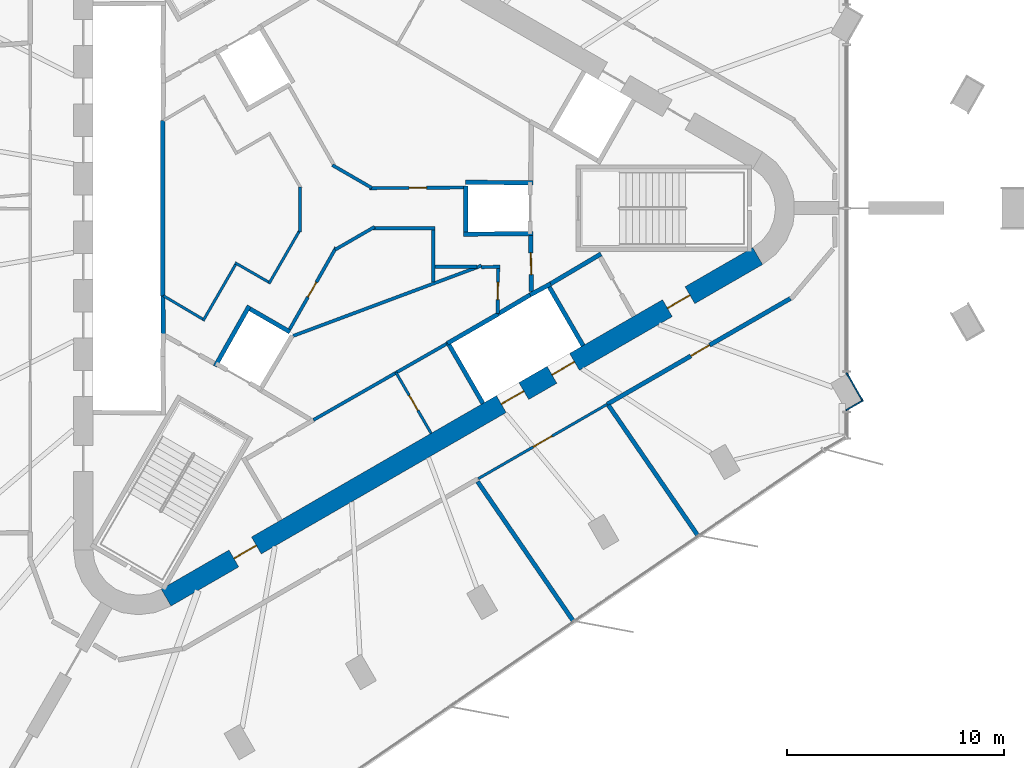
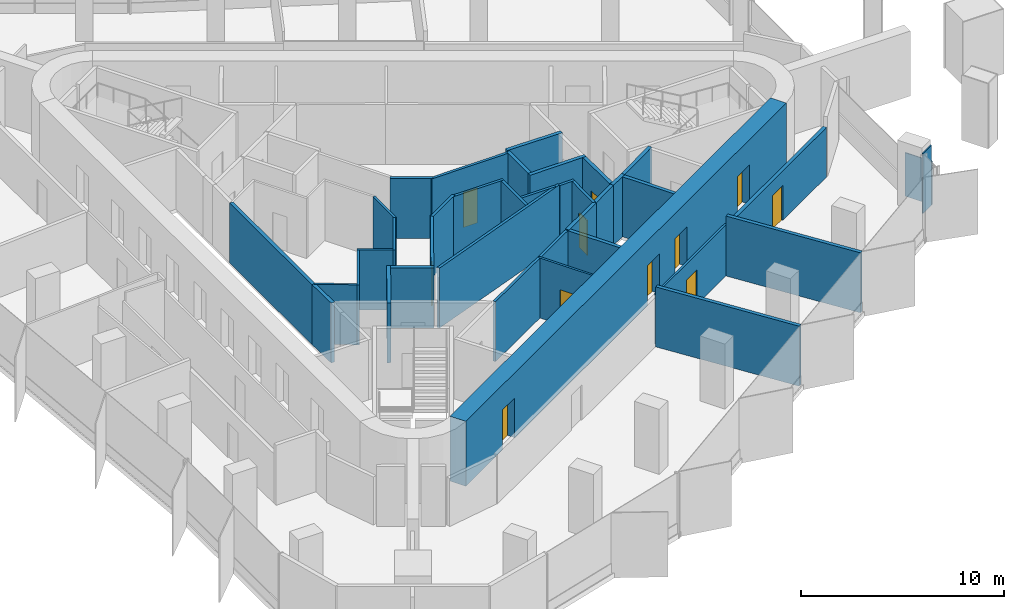
# One storey, part 8 of 12: 38 walls, 11 doors, 11 openings.
"""IFC4 building model written with IfcOpenShell, lengths in metres."""

from ifc_helpers import new_model, si_unit, direction, frame, frame_2d, origin, place, context, subcontext, project, spatial, rectangle, extrude, material, layer, layer_set, type_object, element, fill, save


model = new_model("IFC4")

# Units and contexts
model_context = context("Model", 3, precision=1e-05, world=origin(), true_north=direction((0.0, 1.0)))
body_context = subcontext(model_context, "Body", "Model", "MODEL_VIEW")
ifc_project = project(units=[si_unit("LENGTHUNIT", "METRE"), si_unit("AREAUNIT", "SQUARE_METRE"), si_unit("VOLUMEUNIT", "CUBIC_METRE"), si_unit("PLANEANGLEUNIT", "RADIAN"), si_unit("MASSUNIT", "GRAM", prefix="KILO")], contexts=[model_context])

# Site, building, storey
site_placement = place(None, origin())
site = spatial("IfcSite", under=ifc_project, at=site_placement, CompositionType="ELEMENT")
building_placement = place(site_placement, origin())
building = spatial("IfcBuilding", under=site, at=building_placement, Name="Tanit Gate Tower", CompositionType="ELEMENT")
storey_placement = place(building_placement, frame((0.0, 0.0, 376.699951171875)))
storey = spatial("IfcBuildingStorey", under=building, at=storey_placement, Name="L86", CompositionType="ELEMENT", Elevation=376.699951171875)

# Wall, openings, doors
ifc_material_1 = material(Name="Concrete C40/50", Category="concrete")
ifc_layer_1 = layer(ifc_material_1, 0.89990234375)
ifc_layer_set_1 = layer_set([ifc_layer_1], Name="CORE WALL 900 C40/50")
wall_type_1 = type_object("IfcWallType", Name="CORE WALL 900 C40/50", PredefinedType="SHEAR", material=ifc_layer_set_1)
wall_1_placement = place(storey_placement, frame((-7.824951171875, -17.969970703125, 0.0), z_axis=(0.0, 0.0, 1.0), x_axis=(0.866028369851, 0.499994862586, 0.0)))
wall_1 = element("IfcWall", 1, at=wall_1_placement, inside=storey, type_object=wall_type_1, Name="CORE WALL", PredefinedType="SHEAR", context=body_context, shape_type="SweptSolid", body=[
    extrude(rectangle(XDim=31.523193359375, YDim=0.89990234375, at=frame_2d((15.76171875, 0.0))), origin(), (0.0, 0.0, 1.0), 3.900146484375),
])
opening_1_placement = place(wall_1_placement, frame((17.861572265625, 0.0, 0.0)))
opening_1 = element("IfcOpeningElement", 2, at=opening_1_placement, cuts=wall_1, Name="Opening LDSV1-86", PredefinedType="OPENING", context=body_context, shape_type="SweptSolid", body=[
    extrude(rectangle(XDim=1.199951171875, YDim=2.39990234375, at=frame_2d((0.60009765625, 1.199951171875))), frame((0.0, 0.4599609375, 0.0), z_axis=(0.0, -1.0, 0.0), x_axis=(1.0, 0.0, 0.0)), (0.0, 0.0, 1.0), 0.919921875),
])
opening_2_placement = place(wall_1_placement, frame((20.561767578125, 0.0, 0.0)))
opening_2 = element("IfcOpeningElement", 3, at=opening_2_placement, cuts=wall_1, Name="Opening LDSV2-86", PredefinedType="OPENING", context=body_context, shape_type="SweptSolid", body=[
    extrude(rectangle(XDim=1.199951171875, YDim=2.39990234375, at=frame_2d((0.60009765625, 1.199951171875))), frame((0.0, 0.4599609375, 0.0), z_axis=(0.0, -1.0, 0.0), x_axis=(1.0, 0.0, 0.0)), (0.0, 0.0, 1.0), 0.919921875),
])
opening_3_placement = place(wall_1_placement, frame((26.711669921875, 0.0, 0.0)))
opening_3 = element("IfcOpeningElement", 4, at=opening_3_placement, cuts=wall_1, Name="Opening F12-86-S1", PredefinedType="OPENING", context=body_context, shape_type="SweptSolid", body=[
    extrude(rectangle(XDim=1.199951171875, YDim=2.39990234375, at=frame_2d((0.60009765625, 1.199951171875))), frame((0.0, 0.4599609375, 0.0), z_axis=(0.0, -1.0, 0.0), x_axis=(1.0, 0.0, 0.0)), (0.0, 0.0, 1.0), 0.919921875),
])
opening_4_placement = place(wall_1_placement, frame((3.611572265625, 0.0, 0.0)))
opening_4 = element("IfcOpeningElement", 5, at=opening_4_placement, cuts=wall_1, Name="Opening F12-86-FL3", PredefinedType="OPENING", context=body_context, shape_type="SweptSolid", body=[
    extrude(rectangle(XDim=1.199951171875, YDim=2.39990234375, at=frame_2d((0.60009765625, 1.199951171875))), frame((0.0, 0.4599609375, 0.0), z_axis=(0.0, -1.0, 0.0), x_axis=(1.0, 0.0, 0.0)), (0.0, 0.0, 1.0), 0.919921875),
])
ifc_material_2 = material(Name="Fire-rated steel door leaf", Category="steel")
door_type_1 = type_object("IfcDoorType", Name="INT-DOOR-FIRE-LOBBY-1200", OperationType="NOTDEFINED", PredefinedType="USERDEFINED", material=ifc_material_2)
door_1_placement = place(opening_3_placement, origin())
door_1 = element("IfcDoor", 6, at=door_1_placement, inside=storey, type_object=door_type_1, Name="Door F12-86-S1", ObjectType="FIRE DOOR", OperationType="SINGLE_SWING_RIGHT", OverallHeight=2.39990234375, OverallWidth=1.199951171875, PredefinedType="USERDEFINED", context=body_context, shape_type="SweptSolid", body=[
    extrude(rectangle(XDim=1.199951171875, YDim=2.39990234375, at=frame_2d((0.60009765625, 1.199951171875))), frame((0.0, 0.02490234375, 0.0), z_axis=(0.0, -1.0, 0.0), x_axis=(1.0, 0.0, 0.0)), (0.0, 0.0, 1.0), 0.050048828125),
])
fill(opening_3, door_1)
door_2_placement = place(opening_4_placement, origin())
door_2 = element("IfcDoor", 7, at=door_2_placement, inside=storey, type_object=door_type_1, Name="Door F12-86-FL3", ObjectType="FIRE DOOR", OperationType="SINGLE_SWING_RIGHT", OverallHeight=2.39990234375, OverallWidth=1.199951171875, PredefinedType="USERDEFINED", context=body_context, shape_type="SweptSolid", body=[
    extrude(rectangle(XDim=1.199951171875, YDim=2.39990234375, at=frame_2d((0.60009765625, 1.199951171875))), frame((0.0, 0.02490234375, 0.0), z_axis=(0.0, -1.0, 0.0), x_axis=(1.0, 0.0, 0.0)), (0.0, 0.0, 1.0), 0.050048828125),
])
fill(opening_4, door_2)
ifc_material_3 = material(Name="Stainless steel sliding door leaf", Category="steel")
door_type_2 = type_object("IfcDoorType", Name="INT-DOOR-LANDING-1200", OperationType="NOTDEFINED", PredefinedType="USERDEFINED", material=ifc_material_3)
door_3_placement = place(opening_1_placement, origin())
door_3 = element("IfcDoor", 8, at=door_3_placement, inside=storey, type_object=door_type_2, Name="Door LDSV1-86", ObjectType="LANDING DOOR", OperationType="SLIDING_TO_LEFT", OverallHeight=2.39990234375, OverallWidth=1.199951171875, PredefinedType="USERDEFINED", context=body_context, shape_type="SweptSolid", body=[
    extrude(rectangle(XDim=1.199951171875, YDim=2.39990234375, at=frame_2d((0.60009765625, 1.199951171875))), frame((0.0, 0.02490234375, 0.0), z_axis=(0.0, -1.0, 0.0), x_axis=(1.0, 0.0, 0.0)), (0.0, 0.0, 1.0), 0.050048828125),
])
fill(opening_1, door_3)
door_4_placement = place(opening_2_placement, origin())
door_4 = element("IfcDoor", 9, at=door_4_placement, inside=storey, type_object=door_type_2, Name="Door LDSV2-86", ObjectType="LANDING DOOR", OperationType="SLIDING_TO_LEFT", OverallHeight=2.39990234375, OverallWidth=1.199951171875, PredefinedType="USERDEFINED", context=body_context, shape_type="SweptSolid", body=[
    extrude(rectangle(XDim=1.199951171875, YDim=2.39990234375, at=frame_2d((0.60009765625, 1.199951171875))), frame((0.0, 0.02490234375, 0.0), z_axis=(0.0, -1.0, 0.0), x_axis=(1.0, 0.0, 0.0)), (0.0, 0.0, 1.0), 0.050048828125),
])
fill(opening_2, door_4)

# Walls
ifc_material_4 = material(Name="Bronze anodised aluminium cladding", Category="aluminium")
ifc_layer_2 = layer(ifc_material_4, 0.06005859375)
ifc_layer_set_2 = layer_set([ifc_layer_2], Name="Column casing bronze 60")
wall_type_2 = type_object("IfcWallType", Name="Column casing bronze 60", PredefinedType="SOLIDWALL", material=ifc_layer_set_2)
wall_2_placement = place(storey_placement, frame((23.568603515625, -7.5927734375, 0.0), z_axis=(0.0, 0.0, 1.0), x_axis=(0.499991248344, -0.866030456496, 0.0)))
element("IfcWall", 10, at=wall_2_placement, inside=storey, type_object=wall_type_2, Name="Column casing L86 P-SE7.L1", PredefinedType="SOLIDWALL", context=body_context, shape_type="SweptSolid", body=[
    extrude(rectangle(XDim=1.52001953125, YDim=0.06005859375, at=frame_2d((0.760009765625, 0.0))), origin(), (0.0, 0.0, 1.0), 2.610107421875),
])
wall_3_placement = place(storey_placement, frame((23.551513671875, -9.3232421875, 0.0), z_axis=(0.0, 0.0, 1.0), x_axis=(0.866061263272, 0.499937884402, 0.0)))
element("IfcWall", 11, at=wall_3_placement, inside=storey, type_object=wall_type_2, Name="Column casing L86 P-SE7.S1", PredefinedType="SOLIDWALL", context=body_context, shape_type="SweptSolid", body=[
    extrude(rectangle(XDim=0.85009765625, YDim=0.06005859375, at=frame_2d((0.425048828125, 0.0))), origin(), (0.0, 0.0, 1.0), 3.60009765625),
])
ifc_material_5 = material(Name="Fire-rated gypsum board partition")
ifc_layer_3 = layer(ifc_material_5, 0.199951171875)
ifc_layer_set_3 = layer_set([ifc_layer_3], Name="INT-WALL-COMPARTMENT")
wall_type_3 = type_object("IfcWallType", Name="INT-WALL-COMPARTMENT", PredefinedType="PARTITIONING", material=ifc_layer_set_3)
wall_4_placement = place(storey_placement, frame((12.244873046875, -2.10888671875, 0.0), z_axis=(0.0, 0.0, 1.0), x_axis=(-0.860414880418, -0.509594185166, 0.0)))
element("IfcWall", 12, at=wall_4_placement, inside=storey, type_object=wall_type_3, Name="Wall Compartment W060", PredefinedType="PARTITIONING", context=body_context, shape_type="SweptSolid", body=[
    extrude(rectangle(XDim=2.7001953125, YDim=0.199951171875, at=frame_2d((1.35009765625, 0.0))), origin(), (0.0, 0.0, 1.0), 3.60009765625),
])

# Wall, opening, door
wall_5_placement = place(storey_placement, frame((9.02880859375, -3.850830078125, 0.0), z_axis=(0.0, 0.0, 1.0), x_axis=(-0.010783593937, 0.99994185536, 0.0)))
wall_5 = element("IfcWall", 13, at=wall_5_placement, inside=storey, type_object=wall_type_3, Name="Wall Compartment W063", PredefinedType="PARTITIONING", context=body_context, shape_type="SweptSolid", body=[
    extrude(rectangle(XDim=2.5810546875, YDim=0.199951171875, at=frame_2d((1.29052734375, 0.0))), origin(), (0.0, 0.0, 1.0), 3.60009765625),
])
opening_5_placement = place(wall_5_placement, frame((0.79052734375, 0.0, 0.0)))
opening_5 = element("IfcOpeningElement", 14, at=opening_5_placement, cuts=wall_5, Name="Opening F10-86-02", PredefinedType="OPENING", context=body_context, shape_type="SweptSolid", body=[
    extrude(rectangle(XDim=1.0, YDim=2.10009765625, at=frame_2d((0.5, 1.050048828125))), frame((0.0, 0.10986328125, 0.0), z_axis=(0.0, -1.0, 0.0), x_axis=(1.0, 0.0, 0.0)), (0.0, 0.0, 1.0), 0.219970703125),
])
ifc_material_6 = material(Name="Fire-rated steel door leaf", Category="steel")
door_type_3 = type_object("IfcDoorType", Name="INT-DOOR-FIRE-1000", OperationType="NOTDEFINED", PredefinedType="USERDEFINED", material=ifc_material_6)
door_5_placement = place(opening_5_placement, origin())
door_5 = element("IfcDoor", 15, at=door_5_placement, inside=storey, type_object=door_type_3, Name="Door F10-86-02", ObjectType="FIRE DOOR", OperationType="SINGLE_SWING_RIGHT", OverallHeight=2.10009765625, OverallWidth=1.0, PredefinedType="USERDEFINED", context=body_context, shape_type="SweptSolid", body=[
    extrude(rectangle(XDim=1.0, YDim=2.10009765625, at=frame_2d((0.5, 1.050048828125))), frame((0.0, 0.02490234375, 0.0), z_axis=(0.0, -1.0, 0.0), x_axis=(1.0, 0.0, 0.0)), (0.0, 0.0, 1.0), 0.050048828125),
])
fill(opening_5, door_5)

wall_6_placement = place(storey_placement, frame((12.529052734375, -9.047607421875, 0.0), z_axis=(0.0, 0.0, 1.0), x_axis=(0.866024077076, 0.50000229792, 0.0)))
wall_6 = element("IfcWall", 16, at=wall_6_placement, inside=storey, type_object=wall_type_3, Name="Wall Compartment W126", PredefinedType="PARTITIONING", context=body_context, shape_type="SweptSolid", body=[
    extrude(rectangle(XDim=9.76708984375, YDim=0.199951171875, at=frame_2d((4.883544921875, 0.0))), origin(), (0.0, 0.0, 1.0), 2.969970703125),
])
opening_6_placement = place(wall_6_placement, frame((4.456298828125, 0.0, 0.0)))
opening_6 = element("IfcOpeningElement", 17, at=opening_6_placement, cuts=wall_6, Name="Opening F10-86-29", PredefinedType="OPENING", context=body_context, shape_type="SweptSolid", body=[
    extrude(rectangle(XDim=1.0, YDim=2.10009765625, at=frame_2d((0.5, 1.050048828125))), frame((0.0, 0.10986328125, 0.0), z_axis=(0.0, -1.0, 0.0), x_axis=(1.0, 0.0, 0.0)), (0.0, 0.0, 1.0), 0.219970703125),
])
door_6_placement = place(opening_6_placement, origin())
door_6 = element("IfcDoor", 18, at=door_6_placement, inside=storey, type_object=door_type_3, Name="Door F10-86-29", ObjectType="FIRE DOOR", OperationType="SINGLE_SWING_RIGHT", OverallHeight=2.10009765625, OverallWidth=1.0, PredefinedType="USERDEFINED", context=body_context, shape_type="SweptSolid", body=[
    extrude(rectangle(XDim=1.0, YDim=2.10009765625, at=frame_2d((0.5, 1.050048828125))), frame((0.0, 0.02490234375, 0.0), z_axis=(0.0, -1.0, 0.0), x_axis=(1.0, 0.0, 0.0)), (0.0, 0.0, 1.0), 0.050048828125),
])
fill(opening_6, door_6)

# Walls
wall_7_placement = place(storey_placement, frame((10.976806640625, -19.06787109375, 0.0), z_axis=(0.0, 0.0, 1.0), x_axis=(-0.565752665507, 0.82457499445, 0.0)))
element("IfcWall", 19, at=wall_7_placement, inside=storey, type_object=wall_type_3, Name="Wall Compartment W127", PredefinedType="PARTITIONING", context=body_context, shape_type="SweptSolid", body=[
    extrude(rectangle(XDim=7.825439453125, YDim=0.199951171875, at=frame_2d((3.91259765625, 0.0))), origin(), (0.0, 0.0, 1.0), 3.60009765625),
])
wall_8_placement = place(storey_placement, frame((12.583740234375, -9.085205078125, 0.0), z_axis=(0.0, 0.0, 1.0), x_axis=(0.565761603337, -0.824568862006, 0.0)))
element("IfcWall", 20, at=wall_8_placement, inside=storey, type_object=wall_type_3, Name="Wall Compartment W128", PredefinedType="PARTITIONING", context=body_context, shape_type="SweptSolid", body=[
    extrude(rectangle(XDim=7.322021484375, YDim=0.199951171875, at=frame_2d((3.6611328125, 0.0))), origin(), (0.0, 0.0, 1.0), 3.60009765625),
])

# Wall, opening, door
ifc_material_7 = material(Name="Gypsum board partition")
ifc_layer_4 = layer(ifc_material_7, 0.1201171875)
ifc_layer_set_4 = layer_set([ifc_layer_4], Name="INT-WALL-PARTITION")
wall_type_4 = type_object("IfcWallType", Name="INT-WALL-PARTITION", PredefinedType="PARTITIONING", material=ifc_layer_set_4)
wall_9_placement = place(storey_placement, frame((4.40478515625, -10.389404296875, 0.0), z_axis=(0.0, 0.0, 1.0), x_axis=(-0.500017246033, 0.866015446554, 0.0)))
wall_9 = element("IfcWall", 21, at=wall_9_placement, inside=storey, type_object=wall_type_4, Name="Wall Partition W055", PredefinedType="PARTITIONING", context=body_context, shape_type="SweptSolid", body=[
    extrude(rectangle(XDim=3.25, YDim=0.1201171875, at=frame_2d((1.625, 0.0))), origin(), (0.0, 0.0, 1.0), 3.60009765625),
])
opening_7_placement = place(wall_9_placement, frame((1.22509765625, 0.0, 0.0)))
opening_7 = element("IfcOpeningElement", 22, at=opening_7_placement, cuts=wall_9, Name="Opening R08-86-18", PredefinedType="OPENING", context=body_context, shape_type="SweptSolid", body=[
    extrude(rectangle(XDim=0.800048828125, YDim=2.10009765625, at=frame_2d((0.39990234375, 1.050048828125))), frame((0.0, 0.070068359375, 0.0), z_axis=(0.0, -1.0, 0.0), x_axis=(1.0, 0.0, 0.0)), (0.0, 0.0, 1.0), 0.14013671875),
])
ifc_material_8 = material(Name="Timber door leaf", Category="wood")
door_type_4 = type_object("IfcDoorType", Name="INT-DOOR-RISER-800", OperationType="NOTDEFINED", PredefinedType="USERDEFINED", material=ifc_material_8)
door_7_placement = place(opening_7_placement, origin())
door_7 = element("IfcDoor", 23, at=door_7_placement, inside=storey, type_object=door_type_4, Name="Door R08-86-18", ObjectType="FIRE DOOR", OperationType="SINGLE_SWING_LEFT", OverallHeight=2.10009765625, OverallWidth=0.800048828125, PredefinedType="USERDEFINED", context=body_context, shape_type="SweptSolid", body=[
    extrude(rectangle(XDim=0.800048828125, YDim=2.10009765625, at=frame_2d((0.39990234375, 1.050048828125))), frame((0.0, 0.02490234375, 0.0), z_axis=(0.0, -1.0, 0.0), x_axis=(1.0, 0.0, 0.0)), (0.0, 0.0, 1.0), 0.050048828125),
])
fill(opening_7, door_7)

# Walls
wall_10_placement = place(storey_placement, frame((-1.6455078125, -1.10400390625, 0.0), z_axis=(0.0, 0.0, 1.0), x_axis=(0.0, 1.0, 0.0)))
element("IfcWall", 24, at=wall_10_placement, inside=storey, type_object=wall_type_4, Name="Wall Partition W083", PredefinedType="PARTITIONING", context=body_context, shape_type="SweptSolid", body=[
    extrude(rectangle(XDim=2.08544921875, YDim=0.1201171875, at=frame_2d((1.042724609375, 0.0))), origin(), (0.0, 0.0, 1.0), 3.60009765625),
])
wall_11_placement = place(storey_placement, frame((-3.0810546875, -3.486572265625, 0.0), z_axis=(0.0, 0.0, 1.0), x_axis=(0.499986688891, 0.86603308882, 0.0)))
element("IfcWall", 25, at=wall_11_placement, inside=storey, type_object=wall_type_4, Name="Wall Partition W084", PredefinedType="PARTITIONING", context=body_context, shape_type="SweptSolid", body=[
    extrude(rectangle(XDim=2.8525390625, YDim=0.1201171875, at=frame_2d((1.42626953125, 0.0))), origin(), (0.0, 0.0, 1.0), 3.60009765625),
])
wall_12_placement = place(storey_placement, frame((-4.64013671875, -2.51708984375, 0.0), z_axis=(0.0, 0.0, 1.0), x_axis=(0.866025242659, -0.500000279077, 0.0)))
element("IfcWall", 26, at=wall_12_placement, inside=storey, type_object=wall_type_4, Name="Wall Partition W085", PredefinedType="PARTITIONING", context=body_context, shape_type="SweptSolid", body=[
    extrude(rectangle(XDim=1.77490234375, YDim=0.1201171875, at=frame_2d((0.887451171875, 0.0))), origin(), (0.0, 0.0, 1.0), 3.60009765625),
])
wall_13_placement = place(storey_placement, frame((-6.1181640625, -5.197265625, 0.0), z_axis=(0.0, 0.0, 1.0), x_axis=(0.499990139034, 0.866031096941, 0.0)))
element("IfcWall", 27, at=wall_13_placement, inside=storey, type_object=wall_type_4, Name="Wall Partition W086", PredefinedType="PARTITIONING", context=body_context, shape_type="SweptSolid", body=[
    extrude(rectangle(XDim=3.0, YDim=0.1201171875, at=frame_2d((1.5, 0.0))), origin(), (0.0, 0.0, 1.0), 3.60009765625),
])
wall_14_placement = place(storey_placement, frame((-7.949951171875, -4.041015625, 0.0), z_axis=(0.0, 0.0, 1.0), x_axis=(0.860112457103, -0.510104461004, 0.0)))
element("IfcWall", 28, at=wall_14_placement, inside=storey, type_object=wall_type_4, Name="Wall Partition W087", PredefinedType="PARTITIONING", context=body_context, shape_type="SweptSolid", body=[
    extrude(rectangle(XDim=2.1044921875, YDim=0.1201171875, at=frame_2d((1.05224609375, 0.0))), origin(), (0.0, 0.0, 1.0), 3.60009765625),
])

# Wall, opening, door
wall_15_placement = place(storey_placement, frame((6.57958984375, -12.482421875, 0.0), z_axis=(0.0, 0.0, 1.0), x_axis=(0.866032308686, 0.49998804017, 0.0)))
wall_15 = element("IfcWall", 29, at=wall_15_placement, inside=storey, type_object=wall_type_4, Name="Wall Partition W123", PredefinedType="PARTITIONING", context=body_context, shape_type="SweptSolid", body=[
    extrude(rectangle(XDim=6.869873046875, YDim=0.1201171875, at=frame_2d((3.43505859375, 0.0))), origin(), (0.0, 0.0, 1.0), 3.070068359375),
])
opening_8_placement = place(wall_15_placement, frame((2.931884765625, 0.0, 0.0)))
opening_8 = element("IfcOpeningElement", 30, at=opening_8_placement, cuts=wall_15, Name="Opening D10-86-28", PredefinedType="OPENING", context=body_context, shape_type="SweptSolid", body=[
    extrude(rectangle(XDim=1.0, YDim=2.10009765625, at=frame_2d((0.5, 1.050048828125))), frame((0.0, 0.070068359375, 0.0), z_axis=(0.0, -1.0, 0.0), x_axis=(1.0, 0.0, 0.0)), (0.0, 0.0, 1.0), 0.14013671875),
])
ifc_material_9 = material(Name="Timber door leaf", Category="wood")
door_type_5 = type_object("IfcDoorType", Name="INT-DOOR-SINGLE-1000", OperationType="NOTDEFINED", PredefinedType="NOTDEFINED", material=ifc_material_9)
door_8_placement = place(opening_8_placement, origin())
door_8 = element("IfcDoor", 31, at=door_8_placement, inside=storey, type_object=door_type_5, Name="Door D10-86-28", OperationType="SINGLE_SWING_LEFT", OverallHeight=2.10009765625, OverallWidth=1.0, PredefinedType="NOTDEFINED", context=body_context, shape_type="SweptSolid", body=[
    extrude(rectangle(XDim=1.0, YDim=2.10009765625, at=frame_2d((0.5, 1.050048828125))), frame((0.0, 0.02490234375, 0.0), z_axis=(0.0, -1.0, 0.0), x_axis=(1.0, 0.0, 0.0)), (0.0, 0.0, 1.0), 0.050048828125),
])
fill(opening_8, door_8)

# Wall
ifc_material_10 = material(Name="Fire-rated gypsum board partition")
ifc_layer_5 = layer(ifc_material_10, 0.14990234375)
ifc_layer_set_5 = layer_set([ifc_layer_5], Name="INT-WALL-RISER")
wall_type_5 = type_object("IfcWallType", Name="INT-WALL-RISER", PredefinedType="PLUMBINGWALL", material=ifc_layer_set_5)
wall_16_placement = place(storey_placement, frame((-1.02392578125, -9.771240234375, 0.0), z_axis=(0.0, 0.0, 1.0), x_axis=(0.868110220015, 0.496371479746, 0.0)))
element("IfcWall", 32, at=wall_16_placement, inside=storey, type_object=wall_type_5, Name="Wall Riser W058", PredefinedType="PLUMBINGWALL", context=body_context, shape_type="SweptSolid", body=[
    extrude(rectangle(XDim=7.12255859375, YDim=0.14990234375, at=frame_2d((3.561279296875, 0.0))), origin(), (0.0, 0.0, 1.0), 3.60009765625),
])

# Wall, opening, door
wall_17_placement = place(storey_placement, frame((1.560791015625, 0.924072265625, 0.0), z_axis=(0.0, 0.0, 1.0), x_axis=(0.999976441218, 0.006864183077, 0.0)))
wall_17 = element("IfcWall", 33, at=wall_17_placement, inside=storey, type_object=wall_type_5, Name="Wall Riser W068", PredefinedType="PLUMBINGWALL", context=body_context, shape_type="SweptSolid", body=[
    extrude(rectangle(XDim=4.339111328125, YDim=0.14990234375, at=frame_2d((2.16943359375, 0.0))), origin(), (0.0, 0.0, 1.0), 3.60009765625),
])
opening_9_placement = place(wall_17_placement, frame((1.83349609375, 0.0, 0.0)))
opening_9 = element("IfcOpeningElement", 34, at=opening_9_placement, cuts=wall_17, Name="Opening R08-86-10", PredefinedType="OPENING", context=body_context, shape_type="SweptSolid", body=[
    extrude(rectangle(XDim=0.800048828125, YDim=2.10009765625, at=frame_2d((0.39990234375, 1.050048828125))), frame((0.0, 0.0849609375, 0.0), z_axis=(0.0, -1.0, 0.0), x_axis=(1.0, 0.0, 0.0)), (0.0, 0.0, 1.0), 0.169921875),
])
door_9_placement = place(opening_9_placement, origin())
door_9 = element("IfcDoor", 35, at=door_9_placement, inside=storey, type_object=door_type_4, Name="Door R08-86-10", ObjectType="FIRE DOOR", OperationType="SINGLE_SWING_LEFT", OverallHeight=2.10009765625, OverallWidth=0.800048828125, PredefinedType="USERDEFINED", context=body_context, shape_type="SweptSolid", body=[
    extrude(rectangle(XDim=0.800048828125, YDim=2.10009765625, at=frame_2d((0.39990234375, 1.050048828125))), frame((0.0, 0.02490234375, 0.0), z_axis=(0.0, -1.0, 0.0), x_axis=(1.0, 0.0, 0.0)), (0.0, 0.0, 1.0), 0.050048828125),
])
fill(opening_9, door_9)

# Walls
wall_18_placement = place(storey_placement, frame((-0.154052734375, 1.989013671875, 0.0), z_axis=(0.0, 0.0, 1.0), x_axis=(0.865992365033, -0.50005722043, 0.0)))
element("IfcWall", 36, at=wall_18_placement, inside=storey, type_object=wall_type_5, Name="Wall Riser W069", PredefinedType="PLUMBINGWALL", context=body_context, shape_type="SweptSolid", body=[
    extrude(rectangle(XDim=2.104248046875, YDim=0.14990234375, at=frame_2d((1.05224609375, 0.0))), origin(), (0.0, 0.0, 1.0), 3.60009765625),
])
wall_19_placement = place(storey_placement, frame((6.729248046875, -2.650390625, 0.0), z_axis=(0.0, 0.0, 1.0), x_axis=(-0.936914282609, -0.349559189613, 0.0)))
element("IfcWall", 37, at=wall_19_placement, inside=storey, type_object=wall_type_5, Name="Wall Riser W071", PredefinedType="PLUMBINGWALL", context=body_context, shape_type="SweptSolid", body=[
    extrude(rectangle(XDim=9.29052734375, YDim=0.14990234375, at=frame_2d((4.645263671875, 0.0))), origin(), (0.0, 0.0, 1.0), 3.60009765625),
])

# Wall, opening, door
wall_20_placement = place(storey_placement, frame((0.019775390625, -1.813720703125, 0.0), z_axis=(0.0, 0.0, 1.0), x_axis=(-0.494047106341, -0.869435136578, 0.0)))
wall_20 = element("IfcWall", 38, at=wall_20_placement, inside=storey, type_object=wall_type_5, Name="Wall Riser W072", PredefinedType="PLUMBINGWALL", context=body_context, shape_type="SweptSolid", body=[
    extrude(rectangle(XDim=4.33935546875, YDim=0.14990234375, at=frame_2d((2.169677734375, 0.0))), origin(), (0.0, 0.0, 1.0), 3.60009765625),
])
opening_10_placement = place(wall_20_placement, frame((1.83349609375, 0.0, 0.0)))
opening_10 = element("IfcOpeningElement", 39, at=opening_10_placement, cuts=wall_20, Name="Opening R08-86-11", PredefinedType="OPENING", context=body_context, shape_type="SweptSolid", body=[
    extrude(rectangle(XDim=0.800048828125, YDim=2.10009765625, at=frame_2d((0.39990234375, 1.050048828125))), frame((0.0, 0.0849609375, 0.0), z_axis=(0.0, -1.0, 0.0), x_axis=(1.0, 0.0, 0.0)), (0.0, 0.0, 1.0), 0.169921875),
])
door_10_placement = place(opening_10_placement, origin())
door_10 = element("IfcDoor", 40, at=door_10_placement, inside=storey, type_object=door_type_4, Name="Door R08-86-11", ObjectType="FIRE DOOR", OperationType="SINGLE_SWING_LEFT", OverallHeight=2.10009765625, OverallWidth=0.800048828125, PredefinedType="USERDEFINED", context=body_context, shape_type="SweptSolid", body=[
    extrude(rectangle(XDim=0.800048828125, YDim=2.10009765625, at=frame_2d((0.39990234375, 1.050048828125))), frame((0.0, 0.02490234375, 0.0), z_axis=(0.0, -1.0, 0.0), x_axis=(1.0, 0.0, 0.0)), (0.0, 0.0, 1.0), 0.050048828125),
])
fill(opening_10, door_10)

# Walls
wall_21_placement = place(storey_placement, frame((1.80126953125, -0.860107421875, 0.0), z_axis=(0.0, 0.0, 1.0), x_axis=(-0.866073643108, -0.499916437731, 0.0)))
element("IfcWall", 41, at=wall_21_placement, inside=storey, type_object=wall_type_5, Name="Wall Riser W073", PredefinedType="PLUMBINGWALL", context=body_context, shape_type="SweptSolid", body=[
    extrude(rectangle(XDim=2.106201171875, YDim=0.14990234375, at=frame_2d((1.05322265625, 0.0))), origin(), (0.0, 0.0, 1.0), 3.60009765625),
])
wall_22_placement = place(storey_placement, frame((4.574951171875, -0.925048828125, 0.0), z_axis=(0.0, 0.0, 1.0), x_axis=(-1.0, 0.0, 0.0)))
element("IfcWall", 42, at=wall_22_placement, inside=storey, type_object=wall_type_5, Name="Wall Riser W074", PredefinedType="PLUMBINGWALL", context=body_context, shape_type="SweptSolid", body=[
    extrude(rectangle(XDim=2.863037109375, YDim=0.14990234375, at=frame_2d((1.431640625, 0.0))), origin(), (0.0, 0.0, 1.0), 3.60009765625),
])
wall_23_placement = place(storey_placement, frame((4.5, -3.402099609375, 0.0), z_axis=(0.0, 0.0, 1.0), x_axis=(0.0, 1.0, 0.0)))
element("IfcWall", 43, at=wall_23_placement, inside=storey, type_object=wall_type_5, Name="Wall Riser W075", PredefinedType="PLUMBINGWALL", context=body_context, shape_type="SweptSolid", body=[
    extrude(rectangle(XDim=2.402099609375, YDim=0.14990234375, at=frame_2d((1.201171875, 0.0))), origin(), (0.0, 0.0, 1.0), 3.60009765625),
])
wall_24_placement = place(storey_placement, frame((6.521240234375, -2.699951171875, 0.0), z_axis=(0.0, 0.0, 1.0), x_axis=(-1.0, 0.0, 0.0)))
element("IfcWall", 44, at=wall_24_placement, inside=storey, type_object=wall_type_5, Name="Wall Riser W076", PredefinedType="PLUMBINGWALL", context=body_context, shape_type="SweptSolid", body=[
    extrude(rectangle(XDim=1.9462890625, YDim=0.14990234375, at=frame_2d((0.97314453125, 0.0))), origin(), (0.0, 0.0, 1.0), 3.60009765625),
])
wall_25_placement = place(storey_placement, frame((7.574951171875, -2.69775390625, 0.0), z_axis=(0.0, 0.0, 1.0), x_axis=(-0.999547263436, -0.0300876745, 0.0)))
element("IfcWall", 45, at=wall_25_placement, inside=storey, type_object=wall_type_5, Name="Wall Riser W077", PredefinedType="PLUMBINGWALL", context=body_context, shape_type="SweptSolid", body=[
    extrude(rectangle(XDim=0.843994140625, YDim=0.14990234375, at=frame_2d((0.421875, 0.0))), origin(), (0.0, 0.0, 1.0), 3.60009765625),
])

# Wall, opening, door
wall_26_placement = place(storey_placement, frame((7.474609375, -4.864501953125, 0.0), z_axis=(0.0, 0.0, 1.0), x_axis=(0.011682810534, 0.99993175364, 0.0)))
wall_26 = element("IfcWall", 46, at=wall_26_placement, inside=storey, type_object=wall_type_5, Name="Wall Riser W078", PredefinedType="PLUMBINGWALL", context=body_context, shape_type="SweptSolid", body=[
    extrude(rectangle(XDim=2.08984375, YDim=0.14990234375, at=frame_2d((1.044921875, 0.0))), origin(), (0.0, 0.0, 1.0), 3.60009765625),
])
opening_11_placement = place(wall_26_placement, frame((0.644775390625, 0.0, 0.0)))
opening_11 = element("IfcOpeningElement", 47, at=opening_11_placement, cuts=wall_26, Name="Opening R08-86-12", PredefinedType="OPENING", context=body_context, shape_type="SweptSolid", body=[
    extrude(rectangle(XDim=0.800048828125, YDim=2.10009765625, at=frame_2d((0.39990234375, 1.050048828125))), frame((0.0, 0.0849609375, 0.0), z_axis=(0.0, -1.0, 0.0), x_axis=(1.0, 0.0, 0.0)), (0.0, 0.0, 1.0), 0.169921875),
])
door_11_placement = place(opening_11_placement, origin())
door_11 = element("IfcDoor", 48, at=door_11_placement, inside=storey, type_object=door_type_4, Name="Door R08-86-12", ObjectType="FIRE DOOR", OperationType="SINGLE_SWING_LEFT", OverallHeight=2.10009765625, OverallWidth=0.800048828125, PredefinedType="USERDEFINED", context=body_context, shape_type="SweptSolid", body=[
    extrude(rectangle(XDim=0.800048828125, YDim=2.10009765625, at=frame_2d((0.39990234375, 1.050048828125))), frame((0.0, 0.02490234375, 0.0), z_axis=(0.0, -1.0, 0.0), x_axis=(1.0, 0.0, 0.0)), (0.0, 0.0, 1.0), 0.050048828125),
])
fill(opening_11, door_11)

# Walls
ifc_material_11 = material(Name="Gypsum shaft wall system")
ifc_layer_6 = layer(ifc_material_11, 0.199951171875)
ifc_layer_set_6 = layer_set([ifc_layer_6], Name="INT-WALL-SHAFT")
wall_type_6 = type_object("IfcWallType", Name="INT-WALL-SHAFT", PredefinedType="PLUMBINGWALL", material=ifc_layer_set_6)
wall_27_placement = place(storey_placement, frame((-7.97998046875, 4.050048828125, 0.0), z_axis=(0.0, 0.0, 1.0), x_axis=(0.0, -1.0, 0.0)))
element("IfcWall", 49, at=wall_27_placement, inside=storey, type_object=wall_type_6, Name="Wall Shaft W005", PredefinedType="PLUMBINGWALL", context=body_context, shape_type="SweptSolid", body=[
    extrude(rectangle(XDim=8.10009765625, YDim=0.199951171875, at=frame_2d((4.050048828125, 0.0))), origin(), (0.0, 0.0, 1.0), 3.60009765625),
])
wall_28_placement = place(storey_placement, frame((-7.971435546875, -4.050048828125, 0.0), z_axis=(0.0, 0.0, 1.0), x_axis=(0.012042535896, -0.999927486035, 0.0)))
element("IfcWall", 50, at=wall_28_placement, inside=storey, type_object=wall_type_6, Name="Wall Shaft W009", PredefinedType="PLUMBINGWALL", context=body_context, shape_type="SweptSolid", body=[
    extrude(rectangle(XDim=1.844970703125, YDim=0.199951171875, at=frame_2d((0.92236328125, 0.0))), origin(), (0.0, 0.0, 1.0), 3.60009765625),
])
wall_29_placement = place(storey_placement, frame((6.795166015625, -9.009521484375, 0.0), z_axis=(0.0, 0.0, 1.0), x_axis=(-0.499984717929, 0.866034226713, 0.0)))
element("IfcWall", 51, at=wall_29_placement, inside=storey, type_object=wall_type_6, Name="Wall Shaft W015", PredefinedType="PLUMBINGWALL", context=body_context, shape_type="SweptSolid", body=[
    extrude(rectangle(XDim=3.25, YDim=0.199951171875, at=frame_2d((1.625, 0.0))), origin(), (0.0, 0.0, 1.0), 3.60009765625),
])
wall_30_placement = place(storey_placement, frame((5.1591796875, -6.23583984375, 0.0), z_axis=(0.0, 0.0, 1.0), x_axis=(0.866036505625, 0.499980770555, 0.0)))
element("IfcWall", 52, at=wall_30_placement, inside=storey, type_object=wall_type_6, Name="Wall Shaft W016", PredefinedType="PLUMBINGWALL", context=body_context, shape_type="SweptSolid", body=[
    extrude(rectangle(XDim=2.69970703125, YDim=0.199951171875, at=frame_2d((1.349853515625, 0.0))), origin(), (0.0, 0.0, 1.0), 3.60009765625),
])
wall_31_placement = place(storey_placement, frame((9.794677734375, -3.52490234375, 0.0), z_axis=(0.0, 0.0, 1.0), x_axis=(0.499984717929, -0.866034226713, 0.0)))
element("IfcWall", 53, at=wall_31_placement, inside=storey, type_object=wall_type_6, Name="Wall Shaft W017", PredefinedType="PLUMBINGWALL", context=body_context, shape_type="SweptSolid", body=[
    extrude(rectangle(XDim=3.25, YDim=0.199951171875, at=frame_2d((1.625, 0.0))), origin(), (0.0, 0.0, 1.0), 3.60009765625),
])
wall_32_placement = place(storey_placement, frame((8.97412109375, -3.998779296875, 0.0), z_axis=(0.0, 0.0, 1.0), x_axis=(0.880907015104, 0.473289373154, 0.0)))
element("IfcWall", 54, at=wall_32_placement, inside=storey, type_object=wall_type_6, Name="Wall Shaft W018", PredefinedType="PLUMBINGWALL", context=body_context, shape_type="SweptSolid", body=[
    extrude(rectangle(XDim=1.078125, YDim=0.199951171875, at=frame_2d((0.5390625, 0.0))), origin(), (0.0, 0.0, 1.0), 3.60009765625),
])
wall_33_placement = place(storey_placement, frame((7.4931640625, -4.87841796875, 0.0), z_axis=(0.0, 0.0, 1.0), x_axis=(0.859981807212, 0.510324691999, 0.0)))
element("IfcWall", 55, at=wall_33_placement, inside=storey, type_object=wall_type_6, Name="Wall Shaft W019", PredefinedType="PLUMBINGWALL", context=body_context, shape_type="SweptSolid", body=[
    extrude(rectangle(XDim=1.8447265625, YDim=0.199951171875, at=frame_2d((0.92236328125, 0.0))), origin(), (0.0, 0.0, 1.0), 3.60009765625),
])
wall_34_placement = place(storey_placement, frame((6.0, 1.199951171875, 0.0), z_axis=(0.0, 0.0, 1.0), x_axis=(0.999949988, -0.010001074852, 0.0)))
element("IfcWall", 56, at=wall_34_placement, inside=storey, type_object=wall_type_6, Name="Wall Shaft W026", PredefinedType="PLUMBINGWALL", context=body_context, shape_type="SweptSolid", body=[
    extrude(rectangle(XDim=3.100341796875, YDim=0.199951171875, at=frame_2d((1.55029296875, 0.0))), origin(), (0.0, 0.0, 1.0), 3.60009765625),
])
wall_35_placement = place(storey_placement, frame((5.89990234375, -1.200927734375, 0.0), z_axis=(0.0, 0.0, 1.0), x_axis=(0.999950064753, 0.009993397809, 0.0)))
element("IfcWall", 57, at=wall_35_placement, inside=storey, type_object=wall_type_6, Name="Wall Shaft W027", PredefinedType="PLUMBINGWALL", context=body_context, shape_type="SweptSolid", body=[
    extrude(rectangle(XDim=3.200439453125, YDim=0.199951171875, at=frame_2d((1.60009765625, 0.0))), origin(), (0.0, 0.0, 1.0), 3.60009765625),
])
wall_36_placement = place(storey_placement, frame((6.0, -1.10009765625, 0.0), z_axis=(0.0, 0.0, 1.0), x_axis=(0.0, 1.0, 0.0)))
element("IfcWall", 58, at=wall_36_placement, inside=storey, type_object=wall_type_6, Name="Wall Shaft W028", PredefinedType="PLUMBINGWALL", context=body_context, shape_type="SweptSolid", body=[
    extrude(rectangle(XDim=2.129638671875, YDim=0.199951171875, at=frame_2d((1.06494140625, 0.0))), origin(), (0.0, 0.0, 1.0), 3.60009765625),
])
wall_37_placement = place(storey_placement, frame((-3.989990234375, -4.509033203125, 0.0), z_axis=(0.0, 0.0, 1.0), x_axis=(-0.491358283181, -0.870957540612, 0.0)))
element("IfcWall", 59, at=wall_37_placement, inside=storey, type_object=wall_type_6, Name="Wall Shaft W045", PredefinedType="PLUMBINGWALL", context=body_context, shape_type="SweptSolid", body=[
    extrude(rectangle(XDim=3.200439453125, YDim=0.199951171875, at=frame_2d((1.60009765625, 0.0))), origin(), (0.0, 0.0, 1.0), 3.60009765625),
])
wall_38_placement = place(storey_placement, frame((-3.95263671875, -4.646240234375, 0.0), z_axis=(0.0, 0.0, 1.0), x_axis=(0.866040491692, -0.499973866067, 0.0)))
element("IfcWall", 60, at=wall_38_placement, inside=storey, type_object=wall_type_6, Name="Wall Shaft W046", PredefinedType="PLUMBINGWALL", context=body_context, shape_type="SweptSolid", body=[
    extrude(rectangle(XDim=2.12939453125, YDim=0.199951171875, at=frame_2d((1.064697265625, 0.0))), origin(), (0.0, 0.0, 1.0), 3.60009765625),
])

save(model, "model.ifc")
